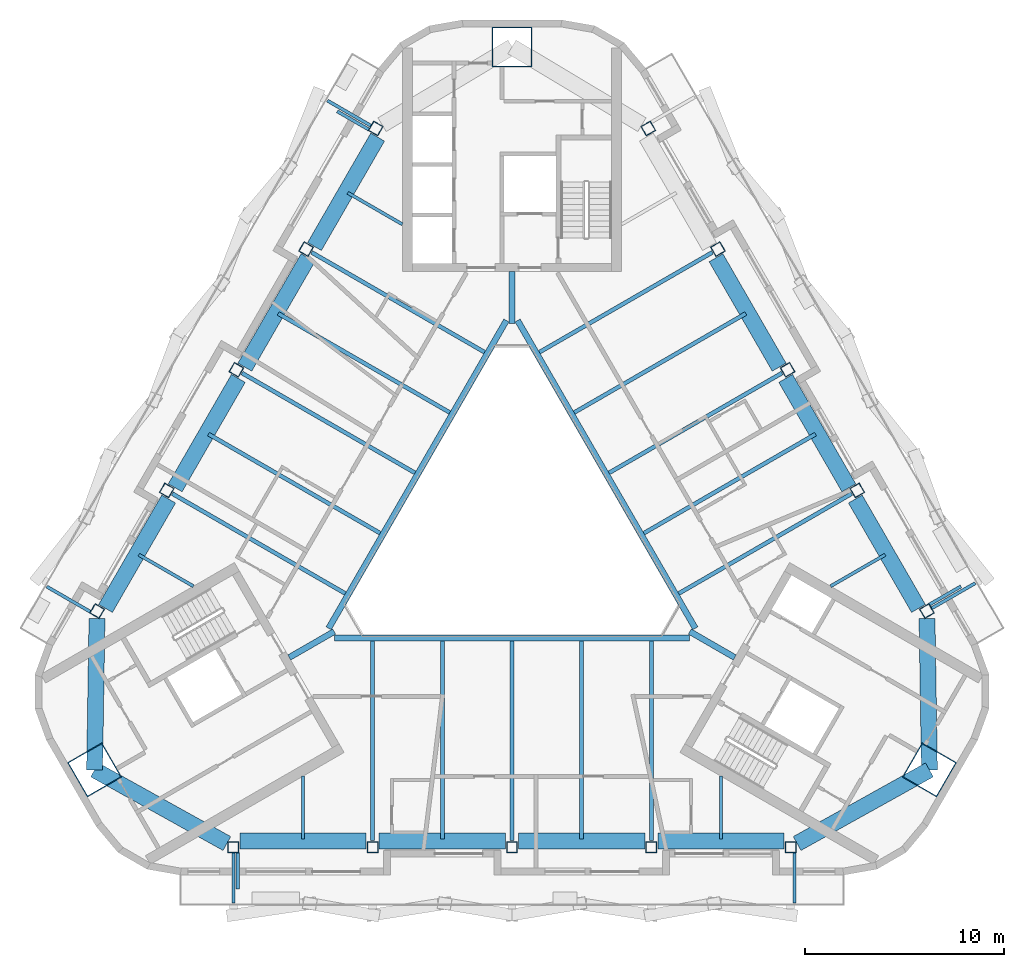
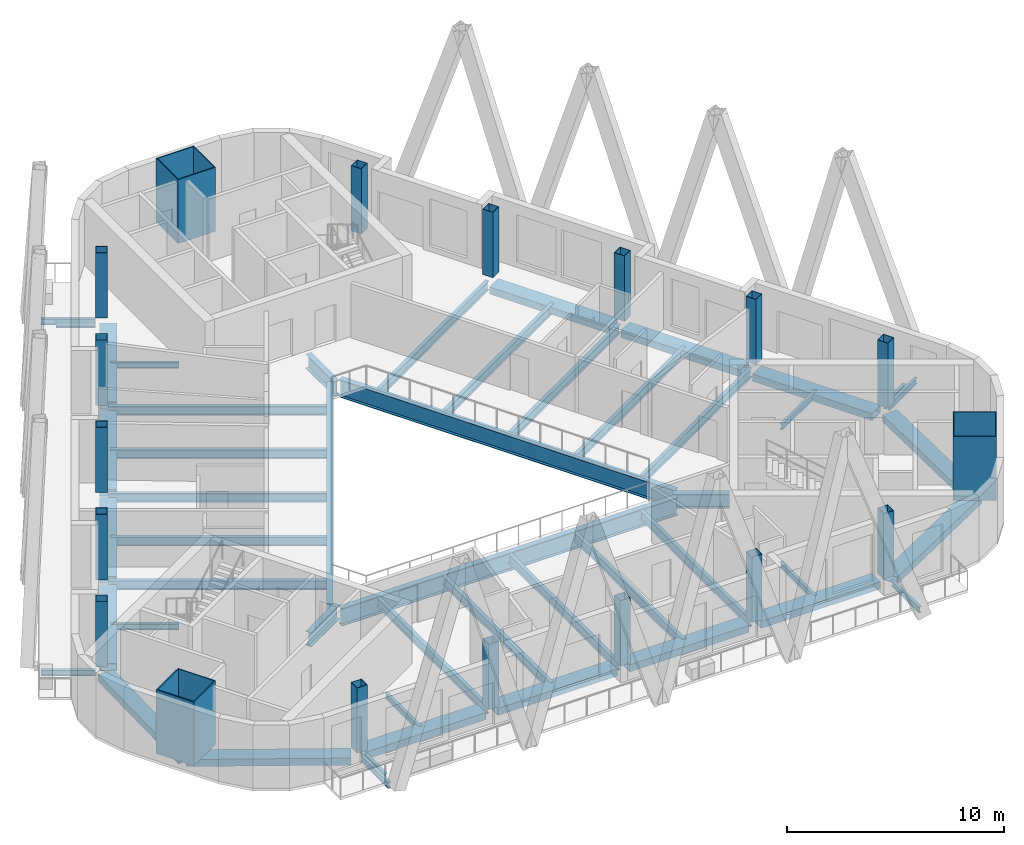
# One storey, part 1 of 12: 49 beams, 18 columns.
"""IFC4 building model written with IfcOpenShell, lengths in metres."""

from ifc_helpers import new_model, si_unit, direction, frame, origin, origin_2d, place, context, subcontext, project, spatial, rectangle, hollow_rectangle, i_section, extrude, boolean, halfspace, material, material_profile, profile_set, type_object, element, save


model = new_model("IFC4")

# Units and contexts
model_context = context("Model", 3, precision=1e-05, world=origin(), true_north=direction((0.0, 1.0)))
body_context = subcontext(model_context, "Body", "Model", "MODEL_VIEW")
ifc_project = project(units=[si_unit("LENGTHUNIT", "METRE"), si_unit("AREAUNIT", "SQUARE_METRE"), si_unit("VOLUMEUNIT", "CUBIC_METRE"), si_unit("PLANEANGLEUNIT", "RADIAN"), si_unit("MASSUNIT", "GRAM", prefix="KILO")], contexts=[model_context])

# Site, building, storey
site_placement = place(None, origin())
site = spatial("IfcSite", under=ifc_project, at=site_placement, CompositionType="ELEMENT")
building_placement = place(site_placement, origin())
building = spatial("IfcBuilding", under=site, at=building_placement, Name="Apuvela Tower Hotel", CompositionType="ELEMENT")
storey_placement = place(building_placement, frame((0.0, 0.0, 291.10009765625)))
storey = spatial("IfcBuildingStorey", under=building, at=storey_placement, Name="L72", CompositionType="ELEMENT", Elevation=291.10009765625)

# Columns
ifc_material_1 = material(Name="Steel S460", Category="steel")
ifc_material_profile_1 = material_profile(ifc_material_1, hollow_rectangle(XDim=2.0, YDim=2.0, WallThickness=0.050048828125, at=origin_2d()), Name="BOX 2000x2000x50")
ifc_material_2 = material(Name="Concrete C80/95", Category="concrete")
ifc_material_profile_2 = material_profile(ifc_material_2, rectangle(XDim=1.89990234375, YDim=1.89990234375, at=origin_2d()), Name="Concrete C80/95 infill")
ifc_profile_set_1 = profile_set([ifc_material_profile_1, ifc_material_profile_2], Name="Steel S460")
column_type_1 = type_object("IfcColumnType", Name="STR-MC mega column BOX 2000x2000x50", PredefinedType="COLUMN", material=ifc_profile_set_1)
for number, where, z_axis, x_axis, name in (
    (1, (0.0, 24.175048828125, 0.0), (0.0, 0.0, 1.0), (1.0, 0.0, 0.0), "Mega column MC4 N"),
    (2, (-20.936279296875, -12.08740234375, 0.0), (0.0, 0.0, 1.0), (-0.5, 0.866025403784, 0.0), "Mega column MC4 SW"),
    (3, (20.936279296875, -12.08740234375, 0.0), (0.0, 0.0, 1.0), (0.5, 0.866025403784, 0.0), "Mega column MC4 SE"),
):
    element("IfcColumn", number, at=place(storey_placement, frame(where, z_axis=z_axis, x_axis=x_axis)), inside=storey, type_object=column_type_1, Name=name, PredefinedType="COLUMN", context=body_context, shape_type="SweptSolid", body=[
        boolean("DIFFERENCE", extrude(hollow_rectangle(XDim=2.0, YDim=2.0, WallThickness=0.050048828125, at=origin_2d()), origin(), (0.0, 0.0, 1.0), 3.699951171875), halfspace(frame((0.0, 0.0, 0.11328125), z_axis=(0.0, 0.0, 1.0), x_axis=(1.0, 0.0, 0.0)), True)),
    ])
ifc_material_profile_3 = material_profile(ifc_material_1, hollow_rectangle(XDim=0.550048828125, YDim=0.550048828125, WallThickness=0.02490234375, at=origin_2d()), Name="BOX 550x550x25")
ifc_material_profile_4 = material_profile(ifc_material_2, rectangle(XDim=0.5, YDim=0.5, at=origin_2d()), Name="Concrete C80/95 infill")
ifc_profile_set_2 = profile_set([ifc_material_profile_3, ifc_material_profile_4], Name="Steel S460")
column_type_2 = type_object("IfcColumnType", Name="STR-PC perimeter column BOX 550x550x25", PredefinedType="COLUMN", material=ifc_profile_set_2)
column_1_placement = place(storey_placement, frame((-13.97412109375, -15.961669921875, 0.0), z_axis=(0.0, 0.0, 1.0), x_axis=(-1.0, 0.0, 0.0)))
element("IfcColumn", 4, at=column_1_placement, inside=storey, type_object=column_type_2, Name="Perimeter column C7 S1", PredefinedType="COLUMN", context=body_context, shape_type="SweptSolid", body=[
    boolean("DIFFERENCE", extrude(hollow_rectangle(XDim=0.550048828125, YDim=0.550048828125, WallThickness=0.02490234375, at=origin_2d()), origin(), (0.0, 0.0, 1.0), 3.699951171875), halfspace(frame((0.0, 0.0, 0.039794921875), z_axis=(0.0, 0.0, 1.0), x_axis=(1.0, 0.0, 0.0)), True)),
])
column_2_placement = place(storey_placement, frame((-6.987060546875, -15.961669921875, 0.0), z_axis=(0.0, 0.0, 1.0), x_axis=(-1.0, 0.0, 0.0)))
element("IfcColumn", 5, at=column_2_placement, inside=storey, type_object=column_type_2, Name="Perimeter column C7 S2", PredefinedType="COLUMN", context=body_context, shape_type="SweptSolid", body=[
    boolean("DIFFERENCE", extrude(hollow_rectangle(XDim=0.550048828125, YDim=0.550048828125, WallThickness=0.02490234375, at=origin_2d()), origin(), (0.0, 0.0, 1.0), 3.699951171875), halfspace(frame((0.0, 0.0, 0.033935546875), z_axis=(0.0, 0.0, 1.0), x_axis=(1.0, 0.0, 0.0)), True)),
])
column_3_placement = place(storey_placement, frame((0.0, -15.961669921875, 0.0), z_axis=(0.0, 0.0, 1.0), x_axis=(-1.0, 0.0, 0.0)))
element("IfcColumn", 6, at=column_3_placement, inside=storey, type_object=column_type_2, Name="Perimeter column C7 S3", PredefinedType="COLUMN", context=body_context, shape_type="SweptSolid", body=[
    boolean("DIFFERENCE", extrude(hollow_rectangle(XDim=0.550048828125, YDim=0.550048828125, WallThickness=0.02490234375, at=origin_2d()), origin(), (0.0, 0.0, 1.0), 3.699951171875), halfspace(frame((0.0, 0.0, 0.031494140625), z_axis=(0.0, 0.0, 1.0), x_axis=(1.0, 0.0, 0.0)), True)),
])
column_4_placement = place(storey_placement, frame((6.987060546875, -15.961669921875, 0.0), z_axis=(0.0, 0.0, 1.0), x_axis=(-1.0, 0.0, 0.0)))
element("IfcColumn", 7, at=column_4_placement, inside=storey, type_object=column_type_2, Name="Perimeter column C7 S4", PredefinedType="COLUMN", context=body_context, shape_type="SweptSolid", body=[
    boolean("DIFFERENCE", extrude(hollow_rectangle(XDim=0.550048828125, YDim=0.550048828125, WallThickness=0.02490234375, at=origin_2d()), origin(), (0.0, 0.0, 1.0), 3.699951171875), halfspace(frame((0.0, 0.0, 0.033935546875), z_axis=(0.0, 0.0, 1.0), x_axis=(1.0, 0.0, 0.0)), True)),
])
for number, where, z_axis, x_axis, name in (
    (8, (13.97412109375, -15.961669921875, 0.0), (0.0, 0.0, 1.0), (-1.0, 0.0, 0.0), "Perimeter column C7 S5"),
    (9, (20.810302734375, -4.12109375, 0.0), (0.0, 0.0, 1.0), (-0.5, 0.866025403784, 0.0), "Perimeter column C7 NE1"),
):
    element("IfcColumn", number, at=place(storey_placement, frame(where, z_axis=z_axis, x_axis=x_axis)), inside=storey, type_object=column_type_2, Name=name, PredefinedType="COLUMN", context=body_context, shape_type="SweptSolid", body=[
        boolean("DIFFERENCE", extrude(hollow_rectangle(XDim=0.550048828125, YDim=0.550048828125, WallThickness=0.02490234375, at=origin_2d()), origin(), (0.0, 0.0, 1.0), 3.699951171875), halfspace(frame((0.0, 0.0, 0.039794921875), z_axis=(0.0, 0.0, 1.0), x_axis=(1.0, 0.0, 0.0)), True)),
    ])
column_5_placement = place(storey_placement, frame((17.316650390625, 1.9296875, 0.0), z_axis=(0.0, 0.0, 1.0), x_axis=(-0.5, 0.866025403784, 0.0)))
element("IfcColumn", 10, at=column_5_placement, inside=storey, type_object=column_type_2, Name="Perimeter column C7 NE2", PredefinedType="COLUMN", context=body_context, shape_type="SweptSolid", body=[
    boolean("DIFFERENCE", extrude(hollow_rectangle(XDim=0.550048828125, YDim=0.550048828125, WallThickness=0.02490234375, at=origin_2d()), origin(), (0.0, 0.0, 1.0), 3.699951171875), halfspace(frame((0.0, 0.0, 0.033935546875), z_axis=(0.0, 0.0, 1.0), x_axis=(1.0, 0.0, 0.0)), True)),
])
column_6_placement = place(storey_placement, frame((13.8232421875, 7.980712890625, 0.0), z_axis=(0.0, 0.0, 1.0), x_axis=(-0.5, 0.866025403784, 0.0)))
element("IfcColumn", 11, at=column_6_placement, inside=storey, type_object=column_type_2, Name="Perimeter column C7 NE3", PredefinedType="COLUMN", context=body_context, shape_type="SweptSolid", body=[
    boolean("DIFFERENCE", extrude(hollow_rectangle(XDim=0.550048828125, YDim=0.550048828125, WallThickness=0.02490234375, at=origin_2d()), origin(), (0.0, 0.0, 1.0), 3.699951171875), halfspace(frame((0.0, 0.0, 0.031494140625), z_axis=(0.0, 0.0, 1.0), x_axis=(1.0, 0.0, 0.0)), True)),
])
column_7_placement = place(storey_placement, frame((10.32958984375, 14.03173828125, 0.0), z_axis=(0.0, 0.0, 1.0), x_axis=(-0.5, 0.866025403784, 0.0)))
element("IfcColumn", 12, at=column_7_placement, inside=storey, type_object=column_type_2, Name="Perimeter column C7 NE4", PredefinedType="COLUMN", context=body_context, shape_type="SweptSolid", body=[
    boolean("DIFFERENCE", extrude(hollow_rectangle(XDim=0.550048828125, YDim=0.550048828125, WallThickness=0.02490234375, at=origin_2d()), origin(), (0.0, 0.0, 1.0), 3.699951171875), halfspace(frame((0.0, 0.0, 0.033935546875), z_axis=(0.0, 0.0, 1.0), x_axis=(1.0, 0.0, 0.0)), True)),
])
for number, where, z_axis, x_axis, name in (
    (13, (6.836181640625, 20.0830078125, 0.0), (0.0, 0.0, 1.0), (-0.5, 0.866025403784, 0.0), "Perimeter column C7 NE5"),
    (14, (-6.836181640625, 20.0830078125, 0.0), (0.0, 0.0, 1.0), (0.5, 0.866025403784, 0.0), "Perimeter column C7 NW1"),
):
    element("IfcColumn", number, at=place(storey_placement, frame(where, z_axis=z_axis, x_axis=x_axis)), inside=storey, type_object=column_type_2, Name=name, PredefinedType="COLUMN", context=body_context, shape_type="SweptSolid", body=[
        boolean("DIFFERENCE", extrude(hollow_rectangle(XDim=0.550048828125, YDim=0.550048828125, WallThickness=0.02490234375, at=origin_2d()), origin(), (0.0, 0.0, 1.0), 3.699951171875), halfspace(frame((0.0, 0.0, 0.039794921875), z_axis=(0.0, 0.0, 1.0), x_axis=(1.0, 0.0, 0.0)), True)),
    ])
column_8_placement = place(storey_placement, frame((-10.32958984375, 14.03173828125, 0.0), z_axis=(0.0, 0.0, 1.0), x_axis=(0.5, 0.866025403784, 0.0)))
element("IfcColumn", 15, at=column_8_placement, inside=storey, type_object=column_type_2, Name="Perimeter column C7 NW2", PredefinedType="COLUMN", context=body_context, shape_type="SweptSolid", body=[
    boolean("DIFFERENCE", extrude(hollow_rectangle(XDim=0.550048828125, YDim=0.550048828125, WallThickness=0.02490234375, at=origin_2d()), origin(), (0.0, 0.0, 1.0), 3.699951171875), halfspace(frame((0.0, 0.0, 0.033935546875), z_axis=(0.0, 0.0, 1.0), x_axis=(1.0, 0.0, 0.0)), True)),
])
column_9_placement = place(storey_placement, frame((-13.8232421875, 7.980712890625, 0.0), z_axis=(0.0, 0.0, 1.0), x_axis=(0.5, 0.866025403784, 0.0)))
element("IfcColumn", 16, at=column_9_placement, inside=storey, type_object=column_type_2, Name="Perimeter column C7 NW3", PredefinedType="COLUMN", context=body_context, shape_type="SweptSolid", body=[
    boolean("DIFFERENCE", extrude(hollow_rectangle(XDim=0.550048828125, YDim=0.550048828125, WallThickness=0.02490234375, at=origin_2d()), origin(), (0.0, 0.0, 1.0), 3.699951171875), halfspace(frame((0.0, 0.0, 0.031494140625), z_axis=(0.0, 0.0, 1.0), x_axis=(1.0, 0.0, 0.0)), True)),
])
column_10_placement = place(storey_placement, frame((-17.316650390625, 1.9296875, 0.0), z_axis=(0.0, 0.0, 1.0), x_axis=(0.5, 0.866025403784, 0.0)))
element("IfcColumn", 17, at=column_10_placement, inside=storey, type_object=column_type_2, Name="Perimeter column C7 NW4", PredefinedType="COLUMN", context=body_context, shape_type="SweptSolid", body=[
    boolean("DIFFERENCE", extrude(hollow_rectangle(XDim=0.550048828125, YDim=0.550048828125, WallThickness=0.02490234375, at=origin_2d()), origin(), (0.0, 0.0, 1.0), 3.699951171875), halfspace(frame((0.0, 0.0, 0.033935546875), z_axis=(0.0, 0.0, 1.0), x_axis=(1.0, 0.0, 0.0)), True)),
])
column_11_placement = place(storey_placement, frame((-20.810302734375, -4.12109375, 0.0), z_axis=(0.0, 0.0, 1.0), x_axis=(0.5, 0.866025403784, 0.0)))
element("IfcColumn", 18, at=column_11_placement, inside=storey, type_object=column_type_2, Name="Perimeter column C7 NW5", PredefinedType="COLUMN", context=body_context, shape_type="SweptSolid", body=[
    boolean("DIFFERENCE", extrude(hollow_rectangle(XDim=0.550048828125, YDim=0.550048828125, WallThickness=0.02490234375, at=origin_2d()), origin(), (0.0, 0.0, 1.0), 3.699951171875), halfspace(frame((0.0, 0.0, 0.039794921875), z_axis=(0.0, 0.0, 1.0), x_axis=(1.0, 0.0, 0.0)), True)),
])

# Beams
ifc_material_3 = material(Name="Steel S355", Category="steel")
ifc_material_profile_5 = material_profile(ifc_material_3, i_section(OverallWidth=0.159912109375, OverallDepth=0.330078125, WebThickness=0.007568359375, FlangeThickness=0.011474609375, at=origin_2d()), Name="IPE 330")
ifc_profile_set_3 = profile_set([ifc_material_profile_5], Name="Steel S355")
beam_type_1 = type_object("IfcBeamType", Name="ENV-BALCONY-BEAM-IPE330", PredefinedType="BEAM", material=ifc_profile_set_3)
beam_1_placement = place(storey_placement, frame((-13.97412109375, -16.236572265625, -0.315185546875), z_axis=(0.0, -1.0, 0.0), x_axis=(1.0, 0.0, 0.0)))
element("IfcBeam", 19, at=beam_1_placement, inside=storey, type_object=beam_type_1, Name="Balcony cantilever beam S1 L72", PredefinedType="BEAM", context=body_context, shape_type="SweptSolid", body=[
    extrude(i_section(OverallWidth=0.159912109375, OverallDepth=0.330078125, WebThickness=0.007568359375, FlangeThickness=0.011474609375, at=origin_2d()), origin(), (0.0, 0.0, 1.0), 2.525146484375),
])
beam_2_placement = place(storey_placement, frame((-13.754150390625, -16.236572265625, -0.315185546875), z_axis=(0.0, -1.0, 0.0), x_axis=(1.0, 0.0, 0.0)))
element("IfcBeam", 20, at=beam_2_placement, inside=storey, type_object=beam_type_1, Name="Balcony cantilever beam S2 L72", PredefinedType="BEAM", context=body_context, shape_type="SweptSolid", body=[
    extrude(i_section(OverallWidth=0.159912109375, OverallDepth=0.330078125, WebThickness=0.007568359375, FlangeThickness=0.011474609375, at=origin_2d()), origin(), (0.0, 0.0, 1.0), 1.824951171875),
])
beam_3_placement = place(storey_placement, frame((14.17431640625, -16.236572265625, -0.315185546875), z_axis=(0.0, -1.0, 0.0), x_axis=(1.0, 0.0, 0.0)))
element("IfcBeam", 21, at=beam_3_placement, inside=storey, type_object=beam_type_1, Name="Balcony cantilever beam S3 L72", PredefinedType="BEAM", context=body_context, shape_type="SweptSolid", body=[
    extrude(i_section(OverallWidth=0.159912109375, OverallDepth=0.330078125, WebThickness=0.007568359375, FlangeThickness=0.011474609375, at=origin_2d()), origin(), (0.0, 0.0, 1.0), 2.525146484375),
])
beam_4_placement = place(storey_placement, frame((21.048583984375, -3.983642578125, -0.315185546875), z_axis=(0.866014894461, 0.50001820224, 0.0), x_axis=(-0.50001820224, 0.866014894461, 0.0)))
element("IfcBeam", 22, at=beam_4_placement, inside=storey, type_object=beam_type_1, Name="Balcony cantilever beam NE1 L72", PredefinedType="BEAM", context=body_context, shape_type="SweptSolid", body=[
    extrude(i_section(OverallWidth=0.159912109375, OverallDepth=0.330078125, WebThickness=0.007568359375, FlangeThickness=0.011474609375, at=origin_2d()), origin(), (0.0, 0.0, 1.0), 2.52490234375),
])
beam_5_placement = place(storey_placement, frame((20.9384765625, -3.793212890625, -0.315185546875), z_axis=(0.866011828767, 0.500023511883, 0.0), x_axis=(-0.500023511883, 0.866011828767, 0.0)))
element("IfcBeam", 23, at=beam_5_placement, inside=storey, type_object=beam_type_1, Name="Balcony cantilever beam NE2 L72", PredefinedType="BEAM", context=body_context, shape_type="SweptSolid", body=[
    extrude(i_section(OverallWidth=0.159912109375, OverallDepth=0.330078125, WebThickness=0.007568359375, FlangeThickness=0.011474609375, at=origin_2d()), origin(), (0.0, 0.0, 1.0), 1.8251953125),
])
beam_6_placement = place(storey_placement, frame((-7.07421875, 20.220458984375, -0.315185546875), z_axis=(-0.866039067339, 0.499976333282, 0.0), x_axis=(-0.499976333282, -0.866039067339, 0.0)))
element("IfcBeam", 24, at=beam_6_placement, inside=storey, type_object=beam_type_1, Name="Balcony cantilever beam NW1 L72", PredefinedType="BEAM", context=body_context, shape_type="SweptSolid", body=[
    extrude(i_section(OverallWidth=0.159912109375, OverallDepth=0.330078125, WebThickness=0.007568359375, FlangeThickness=0.011474609375, at=origin_2d()), origin(), (0.0, 0.0, 1.0), 2.52490234375),
])
beam_7_placement = place(storey_placement, frame((-7.18408203125, 20.02978515625, -0.315185546875), z_axis=(-0.866011828767, 0.500023511883, 0.0), x_axis=(-0.500023511883, -0.866011828767, 0.0)))
element("IfcBeam", 25, at=beam_7_placement, inside=storey, type_object=beam_type_1, Name="Balcony cantilever beam NW2 L72", PredefinedType="BEAM", context=body_context, shape_type="SweptSolid", body=[
    extrude(i_section(OverallWidth=0.159912109375, OverallDepth=0.330078125, WebThickness=0.007568359375, FlangeThickness=0.011474609375, at=origin_2d()), origin(), (0.0, 0.0, 1.0), 1.8251953125),
])
beam_8_placement = place(storey_placement, frame((-21.1484375, -4.156982421875, -0.315185546875), z_axis=(-0.865997200291, 0.500048846702, 0.0), x_axis=(-0.500048846702, -0.865997200291, 0.0)))
element("IfcBeam", 26, at=beam_8_placement, inside=storey, type_object=beam_type_1, Name="Balcony cantilever beam NW3 L72", PredefinedType="BEAM", context=body_context, shape_type="SweptSolid", body=[
    extrude(i_section(OverallWidth=0.159912109375, OverallDepth=0.330078125, WebThickness=0.007568359375, FlangeThickness=0.011474609375, at=origin_2d()), origin(), (0.0, 0.0, 1.0), 2.525146484375),
])
ifc_material_profile_6 = material_profile(ifc_material_3, i_section(OverallWidth=0.159912109375, OverallDepth=0.330078125, WebThickness=0.007568359375, FlangeThickness=0.011474609375, at=origin_2d()), Name="IPE 330")
ifc_profile_set_4 = profile_set([ifc_material_profile_6], Name="Steel S355")
beam_type_2 = type_object("IfcBeamType", Name="STR-B floor beam IPE 330", PredefinedType="BEAM", material=ifc_profile_set_4)
for number, where, z_axis, x_axis, name in (
    (27, (18.717041015625, -1.295654296875, -0.315185546875), (-0.866023457084, -0.500003371769, 0.0), (0.500003371769, -0.866023457084, 0.0), "Floor beam B1 NE2"),
    (28, (-8.236328125, 16.857421875, -0.315185546875), (0.866023457084, -0.500003371769, 0.0), (0.500003371769, 0.866023457084, 0.0), "Floor beam B1 NW2"),
    (29, (-18.717041015625, -1.295654296875, -0.315185546875), (0.866023457084, -0.500003371769, 0.0), (0.500003371769, 0.866023457084, 0.0), "Floor beam B1 NW8"),
    (30, (-10.480712890625, -15.5615234375, -0.315185546875), (0.0, 1.0, 0.0), (-1.0, 0.0, 0.0), "Floor beam B1 S2"),
    (31, (10.480712890625, -15.5615234375, -0.315185546875), (0.0, 1.0, 0.0), (-1.0, 0.0, 0.0), "Floor beam B1 S8"),
):
    element("IfcBeam", number, at=place(storey_placement, frame(where, z_axis=z_axis, x_axis=x_axis)), inside=storey, type_object=beam_type_2, Name=name, PredefinedType="BEAM", context=body_context, shape_type="SweptSolid", body=[
        extrude(i_section(OverallWidth=0.159912109375, OverallDepth=0.330078125, WebThickness=0.007568359375, FlangeThickness=0.011474609375, at=origin_2d()), origin(), (0.0, 0.0, 1.0), 3.15966796875),
    ])
ifc_material_profile_7 = material_profile(ifc_material_3, i_section(OverallWidth=0.199951171875, OverallDepth=0.5, WebThickness=0.01025390625, FlangeThickness=0.01611328125, at=origin_2d()), Name="IPE 500")
ifc_profile_set_5 = profile_set([ifc_material_profile_7], Name="Steel S355")
beam_type_3 = type_object("IfcBeamType", Name="STR-B floor beam IPE 500", PredefinedType="BEAM", material=ifc_profile_set_5)
beam_9_placement = place(storey_placement, frame((17.035400390625, 1.767333984375, -0.400146484375), z_axis=(-0.866029728377, -0.499992509511, 0.0), x_axis=(0.499992509511, -0.866029728377, 0.0)))
element("IfcBeam", 32, at=beam_9_placement, inside=storey, type_object=beam_type_3, Name="Floor beam B3 NE3", PredefinedType="BEAM", context=body_context, shape_type="SweptSolid", body=[
    extrude(i_section(OverallWidth=0.199951171875, OverallDepth=0.5, WebThickness=0.01025390625, FlangeThickness=0.01611328125, at=origin_2d()), origin(), (0.0, 0.0, 1.0), 10.016845703125),
])
beam_10_placement = place(storey_placement, frame((15.2236328125, 4.75537109375, -0.400146484375), z_axis=(-0.866023644935, -0.500003046405, 0.0), x_axis=(0.500003046405, -0.866023644935, 0.0)))
element("IfcBeam", 33, at=beam_10_placement, inside=storey, type_object=beam_type_3, Name="Floor beam B3 NE4", PredefinedType="BEAM", context=body_context, shape_type="SweptSolid", body=[
    extrude(i_section(OverallWidth=0.199951171875, OverallDepth=0.5, WebThickness=0.01025390625, FlangeThickness=0.01611328125, at=origin_2d()), origin(), (0.0, 0.0, 1.0), 9.94189453125),
])
beam_11_placement = place(storey_placement, frame((13.541748046875, 7.818359375, -0.400146484375), z_axis=(-0.866023635059, -0.500003063511, 0.0), x_axis=(0.500003063511, -0.866023635059, 0.0)))
element("IfcBeam", 34, at=beam_11_placement, inside=storey, type_object=beam_type_3, Name="Floor beam B3 NE5", PredefinedType="BEAM", context=body_context, shape_type="SweptSolid", body=[
    extrude(i_section(OverallWidth=0.199951171875, OverallDepth=0.5, WebThickness=0.01025390625, FlangeThickness=0.01611328125, at=origin_2d()), origin(), (0.0, 0.0, 1.0), 10.0166015625),
])
beam_12_placement = place(storey_placement, frame((11.72998046875, 10.806396484375, -0.400146484375), z_axis=(-0.866017505439, -0.500013680086, 0.0), x_axis=(0.500013680086, -0.866017505439, 0.0)))
element("IfcBeam", 35, at=beam_12_placement, inside=storey, type_object=beam_type_3, Name="Floor beam B3 NE6", PredefinedType="BEAM", context=body_context, shape_type="SweptSolid", body=[
    extrude(i_section(OverallWidth=0.199951171875, OverallDepth=0.5, WebThickness=0.01025390625, FlangeThickness=0.01611328125, at=origin_2d()), origin(), (0.0, 0.0, 1.0), 9.941650390625),
])
for number, where, z_axis, x_axis, name in (
    (36, (10.048095703125, 13.869384765625, -0.400146484375), (-0.866023635059, -0.500003063511, 0.0), (0.500003063511, -0.866023635059, 0.0), "Floor beam B3 NE7"),
    (37, (-10.048095703125, 13.869384765625, -0.400146484375), (0.866023635059, -0.500003063511, 0.0), (0.500003063511, 0.866023635059, 0.0), "Floor beam B3 NW3"),
):
    element("IfcBeam", number, at=place(storey_placement, frame(where, z_axis=z_axis, x_axis=x_axis)), inside=storey, type_object=beam_type_3, Name=name, PredefinedType="BEAM", context=body_context, shape_type="SweptSolid", body=[
        extrude(i_section(OverallWidth=0.199951171875, OverallDepth=0.5, WebThickness=0.01025390625, FlangeThickness=0.01611328125, at=origin_2d()), origin(), (0.0, 0.0, 1.0), 10.0166015625),
    ])
beam_13_placement = place(storey_placement, frame((-11.72998046875, 10.806396484375, -0.400146484375), z_axis=(0.866017505439, -0.500013680086, 0.0), x_axis=(0.500013680086, 0.866017505439, 0.0)))
element("IfcBeam", 38, at=beam_13_placement, inside=storey, type_object=beam_type_3, Name="Floor beam B3 NW4", PredefinedType="BEAM", context=body_context, shape_type="SweptSolid", body=[
    extrude(i_section(OverallWidth=0.199951171875, OverallDepth=0.5, WebThickness=0.01025390625, FlangeThickness=0.01611328125, at=origin_2d()), origin(), (0.0, 0.0, 1.0), 9.941650390625),
])
beam_14_placement = place(storey_placement, frame((-13.541748046875, 7.818359375, -0.400146484375), z_axis=(0.866023635059, -0.500003063511, 0.0), x_axis=(0.500003063511, 0.866023635059, 0.0)))
element("IfcBeam", 39, at=beam_14_placement, inside=storey, type_object=beam_type_3, Name="Floor beam B3 NW5", PredefinedType="BEAM", context=body_context, shape_type="SweptSolid", body=[
    extrude(i_section(OverallWidth=0.199951171875, OverallDepth=0.5, WebThickness=0.01025390625, FlangeThickness=0.01611328125, at=origin_2d()), origin(), (0.0, 0.0, 1.0), 10.0166015625),
])
beam_15_placement = place(storey_placement, frame((-15.2236328125, 4.75537109375, -0.400146484375), z_axis=(0.866023644935, -0.500003046405, 0.0), x_axis=(0.500003046405, 0.866023644935, 0.0)))
element("IfcBeam", 40, at=beam_15_placement, inside=storey, type_object=beam_type_3, Name="Floor beam B3 NW6", PredefinedType="BEAM", context=body_context, shape_type="SweptSolid", body=[
    extrude(i_section(OverallWidth=0.199951171875, OverallDepth=0.5, WebThickness=0.01025390625, FlangeThickness=0.01611328125, at=origin_2d()), origin(), (0.0, 0.0, 1.0), 9.94189453125),
])
beam_16_placement = place(storey_placement, frame((-17.035400390625, 1.767333984375, -0.400146484375), z_axis=(0.866029728377, -0.499992509511, 0.0), x_axis=(0.499992509511, 0.866029728377, 0.0)))
element("IfcBeam", 41, at=beam_16_placement, inside=storey, type_object=beam_type_3, Name="Floor beam B3 NW7", PredefinedType="BEAM", context=body_context, shape_type="SweptSolid", body=[
    extrude(i_section(OverallWidth=0.199951171875, OverallDepth=0.5, WebThickness=0.01025390625, FlangeThickness=0.01611328125, at=origin_2d()), origin(), (0.0, 0.0, 1.0), 10.016845703125),
])
beam_17_placement = place(storey_placement, frame((-6.987060546875, -15.63671875, -0.400146484375), z_axis=(0.0, 1.0, 0.0), x_axis=(-1.0, 0.0, 0.0)))
element("IfcBeam", 42, at=beam_17_placement, inside=storey, type_object=beam_type_3, Name="Floor beam B3 S3", PredefinedType="BEAM", context=body_context, shape_type="SweptSolid", body=[
    extrude(i_section(OverallWidth=0.199951171875, OverallDepth=0.5, WebThickness=0.01025390625, FlangeThickness=0.01611328125, at=origin_2d()), origin(), (0.0, 0.0, 1.0), 10.0166015625),
])
beam_18_placement = place(storey_placement, frame((-3.49365234375, -15.5615234375, -0.400146484375), z_axis=(0.0, 1.0, 0.0), x_axis=(-1.0, 0.0, 0.0)))
element("IfcBeam", 43, at=beam_18_placement, inside=storey, type_object=beam_type_3, Name="Floor beam B3 S4", PredefinedType="BEAM", context=body_context, shape_type="SweptSolid", body=[
    extrude(i_section(OverallWidth=0.199951171875, OverallDepth=0.5, WebThickness=0.01025390625, FlangeThickness=0.01611328125, at=origin_2d()), origin(), (0.0, 0.0, 1.0), 9.94140625),
])
beam_19_placement = place(storey_placement, frame((0.0, -15.63671875, -0.400146484375), z_axis=(0.0, 1.0, 0.0), x_axis=(-1.0, 0.0, 0.0)))
element("IfcBeam", 44, at=beam_19_placement, inside=storey, type_object=beam_type_3, Name="Floor beam B3 S5", PredefinedType="BEAM", context=body_context, shape_type="SweptSolid", body=[
    extrude(i_section(OverallWidth=0.199951171875, OverallDepth=0.5, WebThickness=0.01025390625, FlangeThickness=0.01611328125, at=origin_2d()), origin(), (0.0, 0.0, 1.0), 10.0166015625),
])
beam_20_placement = place(storey_placement, frame((3.49365234375, -15.5615234375, -0.400146484375), z_axis=(0.0, 1.0, 0.0), x_axis=(-1.0, 0.0, 0.0)))
element("IfcBeam", 45, at=beam_20_placement, inside=storey, type_object=beam_type_3, Name="Floor beam B3 S6", PredefinedType="BEAM", context=body_context, shape_type="SweptSolid", body=[
    extrude(i_section(OverallWidth=0.199951171875, OverallDepth=0.5, WebThickness=0.01025390625, FlangeThickness=0.01611328125, at=origin_2d()), origin(), (0.0, 0.0, 1.0), 9.94140625),
])
beam_21_placement = place(storey_placement, frame((6.987060546875, -15.63671875, -0.400146484375), z_axis=(0.0, 1.0, 0.0), x_axis=(-1.0, 0.0, 0.0)))
element("IfcBeam", 46, at=beam_21_placement, inside=storey, type_object=beam_type_3, Name="Floor beam B3 S7", PredefinedType="BEAM", context=body_context, shape_type="SweptSolid", body=[
    extrude(i_section(OverallWidth=0.199951171875, OverallDepth=0.5, WebThickness=0.01025390625, FlangeThickness=0.01611328125, at=origin_2d()), origin(), (0.0, 0.0, 1.0), 10.0166015625),
])
ifc_material_profile_8 = material_profile(ifc_material_3, i_section(OverallWidth=0.300048828125, OverallDepth=0.989990234375, WebThickness=0.0166015625, FlangeThickness=0.031005859375, at=origin_2d()), Name="HE 1000 A")
ifc_profile_set_6 = profile_set([ifc_material_profile_8], Name="Steel S355")
beam_type_4 = type_object("IfcBeamType", Name="STR-G atrium ring girder HE 1000 A", PredefinedType="BEAM", material=ifc_profile_set_6)
beam_22_placement = place(storey_placement, frame((-0.27978515625, 10.455078125, -0.64501953125), z_axis=(-0.500006541319, -0.866021627119, 0.0), x_axis=(0.866021627119, -0.500006541319, 0.0)))
element("IfcBeam", 47, at=beam_22_placement, inside=storey, type_object=beam_type_4, Name="Atrium ring girder G3 N-SW", PredefinedType="BEAM", context=body_context, shape_type="SweptSolid", body=[
    extrude(i_section(OverallWidth=0.300048828125, OverallDepth=0.989990234375, WebThickness=0.0166015625, FlangeThickness=0.031005859375, at=origin_2d()), origin(), (0.0, 0.0, 1.0), 17.828857421875),
])
beam_23_placement = place(storey_placement, frame((-8.91455078125, -5.469970703125, -0.64501953125), z_axis=(1.0, 0.0, 0.0), x_axis=(0.0, 1.0, 0.0)))
element("IfcBeam", 48, at=beam_23_placement, inside=storey, type_object=beam_type_4, Name="Atrium ring girder G3 SW-SE", PredefinedType="BEAM", context=body_context, shape_type="SweptSolid", body=[
    extrude(i_section(OverallWidth=0.300048828125, OverallDepth=0.989990234375, WebThickness=0.0166015625, FlangeThickness=0.031005859375, at=origin_2d()), origin(), (0.0, 0.0, 1.0), 17.8291015625),
])
beam_24_placement = place(storey_placement, frame((9.1943359375, -4.985107421875, -0.64501953125), z_axis=(-0.500006541319, 0.866021627119, 0.0), x_axis=(-0.866021627119, -0.500006541319, 0.0)))
element("IfcBeam", 49, at=beam_24_placement, inside=storey, type_object=beam_type_4, Name="Atrium ring girder G3 SE-N", PredefinedType="BEAM", context=body_context, shape_type="SweptSolid", body=[
    extrude(i_section(OverallWidth=0.300048828125, OverallDepth=0.989990234375, WebThickness=0.0166015625, FlangeThickness=0.031005859375, at=origin_2d()), origin(), (0.0, 0.0, 1.0), 17.828857421875),
])
ifc_material_profile_9 = material_profile(ifc_material_3, i_section(OverallWidth=0.300048828125, OverallDepth=0.800048828125, WebThickness=0.017578125, FlangeThickness=0.032958984375, at=origin_2d()), Name="HE 800 B")
ifc_profile_set_7 = profile_set([ifc_material_profile_9], Name="Steel S355")
beam_type_5 = type_object("IfcBeamType", Name="STR-GT core tie beam HE 800 B", PredefinedType="BEAM", material=ifc_profile_set_7)
for number, where, z_axis, x_axis, name in (
    (50, (0.0, 12.89990234375, -0.550048828125), (0.0, -1.0, 0.0), (1.0, 0.0, 0.0), "Core tie beam GT1 N"),
    (51, (-11.171630859375, -6.449951171875, -0.550048828125), (0.865997922154, 0.500047596559, 0.0), (-0.500047596559, 0.865997922154, 0.0), "Core tie beam GT1 SW"),
    (52, (11.171630859375, -6.449951171875, -0.550048828125), (-0.865997922154, 0.500047596559, 0.0), (-0.500047596559, -0.865997922154, 0.0), "Core tie beam GT1 SE"),
):
    element("IfcBeam", number, at=place(storey_placement, frame(where, z_axis=z_axis, x_axis=x_axis)), inside=storey, type_object=beam_type_5, Name=name, PredefinedType="BEAM", context=body_context, shape_type="SweptSolid", body=[
        extrude(i_section(OverallWidth=0.300048828125, OverallDepth=0.800048828125, WebThickness=0.017578125, FlangeThickness=0.032958984375, at=origin_2d()), origin(), (0.0, 0.0, 1.0), 2.599853515625),
    ])
ifc_material_profile_10 = material_profile(ifc_material_1, hollow_rectangle(XDim=0.800048828125, YDim=0.39990234375, WallThickness=0.02490234375, at=origin_2d()), Name="BOX 800x400x25")
ifc_profile_set_8 = profile_set([ifc_material_profile_10], Name="Steel S460")
beam_type_6 = type_object("IfcBeamType", Name="STR-RB perimeter ring beam BOX 800x400x25", PredefinedType="SPANDREL", material=ifc_profile_set_8)
for number, where, z_axis, x_axis, name in (
    (53, (-13.649169921875, -15.66162109375, -0.400146484375), (1.0, 0.0, 0.0), (0.0, 1.0, 0.0), "Ring beam RB1 S1"),
    (54, (-6.662109375, -15.66162109375, -0.400146484375), (1.0, 0.0, 0.0), (0.0, 1.0, 0.0), "Ring beam RB1 S2"),
    (55, (0.324951171875, -15.66162109375, -0.400146484375), (1.0, 0.0, 0.0), (0.0, 1.0, 0.0), "Ring beam RB1 S3"),
    (56, (7.31201171875, -15.66162109375, -0.400146484375), (1.0, 0.0, 0.0), (0.0, 1.0, 0.0), "Ring beam RB1 S4"),
):
    element("IfcBeam", number, at=place(storey_placement, frame(where, z_axis=z_axis, x_axis=x_axis)), inside=storey, type_object=beam_type_6, Name=name, PredefinedType="SPANDREL", context=body_context, shape_type="SweptSolid", body=[
        extrude(hollow_rectangle(XDim=0.800048828125, YDim=0.39990234375, WallThickness=0.02490234375, at=origin_2d()), origin(), (0.0, 0.0, 1.0), 6.337158203125),
    ])
for number, where, z_axis, x_axis, name in (
    (57, (20.387939453125, -3.98974609375, -0.400146484375), (-0.499992582699, 0.866029686123, 0.0), (-0.866029686123, -0.499992582699, 0.0), "Ring beam RB1 NE1"),
    (58, (16.894287109375, 2.061279296875, -0.400146484375), (-0.499992582699, 0.866029686123, 0.0), (-0.866029686123, -0.499992582699, 0.0), "Ring beam RB1 NE2"),
    (59, (13.40087890625, 8.1123046875, -0.400146484375), (-0.499992582699, 0.866029686123, 0.0), (-0.866029686123, -0.499992582699, 0.0), "Ring beam RB1 NE3"),
    (60, (-6.73876953125, 19.6513671875, -0.400146484375), (-0.499992582699, -0.866029686123, 0.0), (0.866029686123, -0.499992582699, 0.0), "Ring beam RB1 NW1"),
    (61, (-10.232421875, 13.600341796875, -0.400146484375), (-0.499992582699, -0.866029686123, 0.0), (0.866029686123, -0.499992582699, 0.0), "Ring beam RB1 NW2"),
    (62, (-13.725830078125, 7.54931640625, -0.400146484375), (-0.499992582699, -0.866029686123, 0.0), (0.866029686123, -0.499992582699, 0.0), "Ring beam RB1 NW3"),
    (63, (-17.219482421875, 1.498291015625, -0.400146484375), (-0.499992582699, -0.866029686123, 0.0), (0.866029686123, -0.499992582699, 0.0), "Ring beam RB1 NW4"),
):
    element("IfcBeam", number, at=place(storey_placement, frame(where, z_axis=z_axis, x_axis=x_axis)), inside=storey, type_object=beam_type_6, Name=name, PredefinedType="SPANDREL", context=body_context, shape_type="SweptSolid", body=[
        extrude(hollow_rectangle(XDim=0.800048828125, YDim=0.39990234375, WallThickness=0.02490234375, at=origin_2d()), origin(), (0.0, 0.0, 1.0), 6.3369140625),
    ])
for number, where, z_axis, x_axis, name in (
    (64, (-14.29931640625, -15.78076171875, -0.400146484375), (-0.873812881771, 0.486262323907, 0.0), (-0.486262323907, -0.873812881771, 0.0), "Ring beam RB1 S1-SW"),
    (65, (14.29931640625, -15.78076171875, -0.400146484375), (0.873812881771, 0.486262323907, 0.0), (-0.486262323907, 0.873812881771, 0.0), "Ring beam RB1 S5-SE"),
):
    element("IfcBeam", number, at=place(storey_placement, frame(where, z_axis=z_axis, x_axis=x_axis)), inside=storey, type_object=beam_type_6, Name=name, PredefinedType="SPANDREL", context=body_context, shape_type="SweptSolid", body=[
        extrude(hollow_rectangle(XDim=0.800048828125, YDim=0.39990234375, WallThickness=0.02490234375, at=origin_2d()), origin(), (0.0, 0.0, 1.0), 7.595458984375),
    ])
for number, where, z_axis, x_axis, name in (
    (66, (20.816162109375, -4.4931640625, -0.400146484375), (0.015814906088, -0.999874936552, 0.0), (0.999874936552, 0.015814906088, 0.0), "Ring beam RB1 NE1-SE"),
    (67, (-20.816162109375, -4.4931640625, -0.400146484375), (-0.015814906088, -0.999874936552, 0.0), (0.999874936552, -0.015814906088, 0.0), "Ring beam RB1 NW5-SW"),
):
    element("IfcBeam", number, at=place(storey_placement, frame(where, z_axis=z_axis, x_axis=x_axis)), inside=storey, type_object=beam_type_6, Name=name, PredefinedType="SPANDREL", context=body_context, shape_type="SweptSolid", body=[
        extrude(hollow_rectangle(XDim=0.800048828125, YDim=0.39990234375, WallThickness=0.02490234375, at=origin_2d()), origin(), (0.0, 0.0, 1.0), 7.59521484375),
    ])

save(model, "model.ifc")
